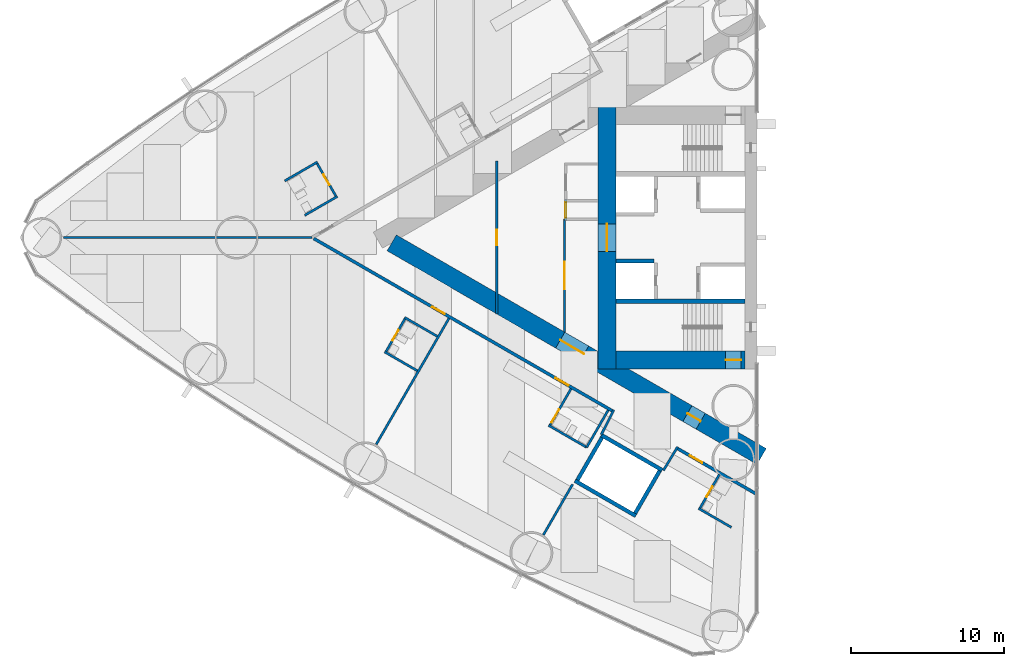
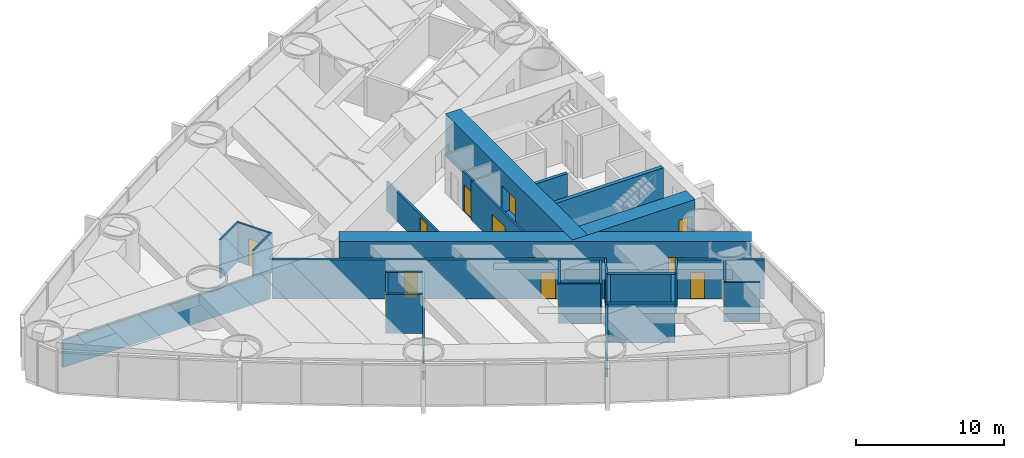
# One storey, part 11 of 19: 30 walls, 14 doors, 14 openings.
"""IFC4 building model written with IfcOpenShell, lengths in metres."""

from ifc_helpers import new_model, si_unit, direction, frame, frame_2d, origin, place, context, subcontext, project, spatial, rectangle, extrude, material, layer, layer_set, type_object, element, fill, save


model = new_model("IFC4")

# Units and contexts
model_context = context("Model", 3, precision=1e-05, world=origin(), true_north=direction((0.0, 1.0)))
body_context = subcontext(model_context, "Body", "Model", "MODEL_VIEW")
ifc_project = project(units=[si_unit("LENGTHUNIT", "METRE"), si_unit("AREAUNIT", "SQUARE_METRE"), si_unit("VOLUMEUNIT", "CUBIC_METRE"), si_unit("PLANEANGLEUNIT", "RADIAN"), si_unit("MASSUNIT", "GRAM", prefix="KILO")], contexts=[model_context])

# Site, building, storey
site_placement = place(None, origin())
site = spatial("IfcSite", under=ifc_project, at=site_placement, CompositionType="ELEMENT")
building_placement = place(site_placement, origin())
building = spatial("IfcBuilding", under=site, at=building_placement, Name="Lancet Gate Hotel", CompositionType="ELEMENT")
storey_placement = place(building_placement, frame((0.0, 0.0, 60.0)))
storey = spatial("IfcBuildingStorey", under=building, at=storey_placement, Name="L15", CompositionType="ELEMENT", Elevation=60.0)

# Wall
ifc_material_1 = material(Name="Moisture resistant board partition")
ifc_layer_1 = layer(ifc_material_1, 0.14990234375)
ifc_layer_set_1 = layer_set([ifc_layer_1], Name="Bathroom wall 150")
wall_type_1 = type_object("IfcWallType", Name="Bathroom wall 150", PredefinedType="PARTITIONING", material=ifc_layer_set_1)
wall_1_placement = place(storey_placement, frame((-56.215087890625, 4.938232421875, 0.0), z_axis=(0.0, 0.0, 1.0), x_axis=(-0.866006523861, -0.500032699561, 0.0)))
element("IfcWall", 1, at=wall_1_placement, inside=storey, type_object=wall_type_1, Name="T1 bathroom wall 150 L15", PredefinedType="PARTITIONING", context=body_context, shape_type="SweptSolid", body=[
    extrude(rectangle(XDim=2.474853515625, YDim=0.14990234375, at=frame_2d((1.2373046875, 0.0))), origin(), (0.0, 0.0, 1.0), 3.25),
])

# Wall, opening, door
wall_2_placement = place(storey_placement, frame((-54.97998046875, 2.64892578125, 0.0), z_axis=(0.0, 0.0, 1.0), x_axis=(-0.500006934395, 0.866021400173, 0.0)))
wall_2 = element("IfcWall", 2, at=wall_2_placement, inside=storey, type_object=wall_type_1, Name="T1 bathroom wall 150 L15", PredefinedType="PARTITIONING", context=body_context, shape_type="SweptSolid", body=[
    extrude(rectangle(XDim=2.60009765625, YDim=0.14990234375, at=frame_2d((1.300048828125, 0.0))), origin(), (0.0, 0.0, 1.0), 3.25),
])
opening_1_placement = place(wall_2_placement, frame((0.89990234375, 0.0, 0.0)))
opening_1 = element("IfcOpeningElement", 3, at=opening_1_placement, cuts=wall_2, Name="Opening 1503-B", PredefinedType="OPENING", context=body_context, shape_type="SweptSolid", body=[
    extrude(rectangle(XDim=0.800048828125, YDim=2.199951171875, at=frame_2d((0.39990234375, 1.10009765625))), frame((0.0, 0.0849609375, 0.0), z_axis=(0.0, -1.0, 0.0), x_axis=(1.0, 0.0, 0.0)), (0.0, 0.0, 1.0), 0.169921875),
])
ifc_material_2 = material(Name="Timber door set", Category="wood")
door_type_1 = type_object("IfcDoorType", Name="Bathroom door 800", OperationType="SINGLE_SWING_RIGHT", PredefinedType="DOOR", material=ifc_material_2)
door_1_placement = place(opening_1_placement, origin())
door_1 = element("IfcDoor", 4, at=door_1_placement, inside=storey, type_object=door_type_1, Name="1503-B", OperationType="SINGLE_SWING_RIGHT", OverallHeight=2.199951171875, OverallWidth=0.800048828125, PredefinedType="DOOR", context=body_context, shape_type="SweptSolid", body=[
    extrude(rectangle(XDim=0.800048828125, YDim=2.199951171875, at=frame_2d((0.39990234375, 1.10009765625))), frame((0.0, 0.02490234375, 0.0), z_axis=(0.0, -1.0, 0.0), x_axis=(1.0, 0.0, 0.0)), (0.0, 0.0, 1.0), 0.050048828125),
])
fill(opening_1, door_1)

# Walls
wall_3_placement = place(storey_placement, frame((-54.9150390625, 2.6865234375, 0.0), z_axis=(0.0, 0.0, 1.0), x_axis=(-0.866006523861, -0.500032699561, 0.0)))
element("IfcWall", 5, at=wall_3_placement, inside=storey, type_object=wall_type_1, Name="T1 bathroom wall 150 L15", PredefinedType="PARTITIONING", context=body_context, shape_type="SweptSolid", body=[
    extrude(rectangle(XDim=2.474853515625, YDim=0.14990234375, at=frame_2d((1.2373046875, 0.0))), origin(), (0.0, 0.0, 1.0), 3.25),
])
wall_4_placement = place(storey_placement, frame((-49.691650390625, -8.704345703125, 0.0), z_axis=(0.0, 0.0, 1.0), x_axis=(-0.866073894602, 0.499916002032, 0.0)))
element("IfcWall", 6, at=wall_4_placement, inside=storey, type_object=wall_type_1, Name="T1 bathroom wall 150 L15", PredefinedType="PARTITIONING", context=body_context, shape_type="SweptSolid", body=[
    extrude(rectangle(XDim=2.47509765625, YDim=0.14990234375, at=frame_2d((1.237548828125, 0.0))), origin(), (0.0, 0.0, 1.0), 3.25),
])

# Wall, opening, door
wall_5_placement = place(storey_placement, frame((-50.47021484375, -5.252685546875, 0.0), z_axis=(0.0, 0.0, 1.0), x_axis=(-0.500006934395, -0.866021400173, 0.0)))
wall_5 = element("IfcWall", 7, at=wall_5_placement, inside=storey, type_object=wall_type_1, Name="T1 bathroom wall 150 L15", PredefinedType="PARTITIONING", context=body_context, shape_type="SweptSolid", body=[
    extrude(rectangle(XDim=2.60009765625, YDim=0.14990234375, at=frame_2d((1.300048828125, 0.0))), origin(), (0.0, 0.0, 1.0), 3.25),
])
opening_2_placement = place(wall_5_placement, frame((0.89990234375, 0.0, 0.0)))
opening_2 = element("IfcOpeningElement", 8, at=opening_2_placement, cuts=wall_5, Name="Opening 1505-B", PredefinedType="OPENING", context=body_context, shape_type="SweptSolid", body=[
    extrude(rectangle(XDim=0.800048828125, YDim=2.199951171875, at=frame_2d((0.39990234375, 1.10009765625))), frame((0.0, 0.0849609375, 0.0), z_axis=(0.0, -1.0, 0.0), x_axis=(1.0, 0.0, 0.0)), (0.0, 0.0, 1.0), 0.169921875),
])
door_2_placement = place(opening_2_placement, origin())
door_2 = element("IfcDoor", 9, at=door_2_placement, inside=storey, type_object=door_type_1, Name="1505-B", OperationType="SINGLE_SWING_RIGHT", OverallHeight=2.199951171875, OverallWidth=0.800048828125, PredefinedType="DOOR", context=body_context, shape_type="SweptSolid", body=[
    extrude(rectangle(XDim=0.800048828125, YDim=2.199951171875, at=frame_2d((0.39990234375, 1.10009765625))), frame((0.0, 0.02490234375, 0.0), z_axis=(0.0, -1.0, 0.0), x_axis=(1.0, 0.0, 0.0)), (0.0, 0.0, 1.0), 0.050048828125),
])
fill(opening_2, door_2)

# Walls
wall_6_placement = place(storey_placement, frame((-48.391845703125, -6.45263671875, 0.0), z_axis=(0.0, 0.0, 1.0), x_axis=(-0.86604923931, 0.499958713387, 0.0)))
element("IfcWall", 10, at=wall_6_placement, inside=storey, type_object=wall_type_1, Name="T1 bathroom wall 150 L15", PredefinedType="PARTITIONING", context=body_context, shape_type="SweptSolid", body=[
    extrude(rectangle(XDim=2.474853515625, YDim=0.14990234375, at=frame_2d((1.2373046875, 0.0))), origin(), (0.0, 0.0, 1.0), 3.25),
])
wall_7_placement = place(storey_placement, frame((-38.630126953125, -13.705322265625, 0.0), z_axis=(0.0, 0.0, 1.0), x_axis=(-0.866018712932, 0.500011588718, 0.0)))
element("IfcWall", 11, at=wall_7_placement, inside=storey, type_object=wall_type_1, Name="T1 bathroom wall 150 L15", PredefinedType="PARTITIONING", context=body_context, shape_type="SweptSolid", body=[
    extrude(rectangle(XDim=2.875, YDim=0.14990234375, at=frame_2d((1.4375, 0.0))), origin(), (0.0, 0.0, 1.0), 3.25),
])

# Wall, opening, door
wall_8_placement = place(storey_placement, frame((-39.65478515625, -9.88037109375, 0.0), z_axis=(0.0, 0.0, 1.0), x_axis=(-0.500049511043, -0.865996816683, 0.0)))
wall_8 = element("IfcWall", 12, at=wall_8_placement, inside=storey, type_object=wall_type_1, Name="T1 bathroom wall 150 L15", PredefinedType="PARTITIONING", context=body_context, shape_type="SweptSolid", body=[
    extrude(rectangle(XDim=2.800048828125, YDim=0.14990234375, at=frame_2d((1.39990234375, 0.0))), origin(), (0.0, 0.0, 1.0), 3.25),
])
opening_3_placement = place(wall_8_placement, frame((1.550048828125, 0.0, 0.0)))
opening_3 = element("IfcOpeningElement", 13, at=opening_3_placement, cuts=wall_8, Name="Opening 1507-B", PredefinedType="OPENING", context=body_context, shape_type="SweptSolid", body=[
    extrude(rectangle(XDim=1.0, YDim=2.199951171875, at=frame_2d((0.5, 1.10009765625))), frame((0.0, 0.0849609375, 0.0), z_axis=(0.0, -1.0, 0.0), x_axis=(1.0, 0.0, 0.0)), (0.0, 0.0, 1.0), 0.169921875),
])
ifc_material_3 = material(Name="Timber door set", Category="wood")
door_type_2 = type_object("IfcDoorType", Name="Accessible en-suite door 1000", OperationType="SINGLE_SWING_RIGHT", PredefinedType="DOOR", material=ifc_material_3)
door_3_placement = place(opening_3_placement, origin())
door_3 = element("IfcDoor", 14, at=door_3_placement, inside=storey, type_object=door_type_2, Name="1507-B", OperationType="SINGLE_SWING_RIGHT", OverallHeight=2.199951171875, OverallWidth=1.0, PredefinedType="DOOR", context=body_context, shape_type="SweptSolid", body=[
    extrude(rectangle(XDim=1.0, YDim=2.199951171875, at=frame_2d((0.5, 1.10009765625))), frame((0.0, 0.02490234375, 0.0), z_axis=(0.0, -1.0, 0.0), x_axis=(1.0, 0.0, 0.0)), (0.0, 0.0, 1.0), 0.050048828125),
])
fill(opening_3, door_3)

# Walls
wall_9_placement = place(storey_placement, frame((-37.22998046875, -11.280517578125, 0.0), z_axis=(0.0, 0.0, 1.0), x_axis=(-0.500049511043, -0.865996816683, 0.0)))
element("IfcWall", 15, at=wall_9_placement, inside=storey, type_object=wall_type_1, Name="T1 bathroom wall 150 L15", PredefinedType="PARTITIONING", context=body_context, shape_type="SweptSolid", body=[
    extrude(rectangle(XDim=2.800048828125, YDim=0.14990234375, at=frame_2d((1.39990234375, 0.0))), origin(), (0.0, 0.0, 1.0), 3.25),
])
wall_10_placement = place(storey_placement, frame((-29.181884765625, -18.92919921875, 0.0), z_axis=(0.0, 0.0, 1.0), x_axis=(-0.866006523861, 0.500032699561, 0.0)))
element("IfcWall", 16, at=wall_10_placement, inside=storey, type_object=wall_type_1, Name="T1 bathroom wall 150 L15", PredefinedType="PARTITIONING", context=body_context, shape_type="SweptSolid", body=[
    extrude(rectangle(XDim=2.474853515625, YDim=0.14990234375, at=frame_2d((1.2373046875, 0.0))), origin(), (0.0, 0.0, 1.0), 3.25),
])

# Wall, opening, door
wall_11_placement = place(storey_placement, frame((-29.960205078125, -15.4775390625, 0.0), z_axis=(0.0, 0.0, 1.0), x_axis=(-0.500006934395, -0.866021400173, 0.0)))
wall_11 = element("IfcWall", 17, at=wall_11_placement, inside=storey, type_object=wall_type_1, Name="T1 bathroom wall 150 L15", PredefinedType="PARTITIONING", context=body_context, shape_type="SweptSolid", body=[
    extrude(rectangle(XDim=2.60009765625, YDim=0.14990234375, at=frame_2d((1.300048828125, 0.0))), origin(), (0.0, 0.0, 1.0), 3.25),
])
opening_4_placement = place(wall_11_placement, frame((0.89990234375, 0.0, 0.0)))
opening_4 = element("IfcOpeningElement", 18, at=opening_4_placement, cuts=wall_11, Name="Opening 1508-B", PredefinedType="OPENING", context=body_context, shape_type="SweptSolid", body=[
    extrude(rectangle(XDim=0.800048828125, YDim=2.199951171875, at=frame_2d((0.39990234375, 1.10009765625))), frame((0.0, 0.0849609375, 0.0), z_axis=(0.0, -1.0, 0.0), x_axis=(1.0, 0.0, 0.0)), (0.0, 0.0, 1.0), 0.169921875),
])
door_4_placement = place(opening_4_placement, origin())
door_4 = element("IfcDoor", 19, at=door_4_placement, inside=storey, type_object=door_type_1, Name="1508-B", OperationType="SINGLE_SWING_RIGHT", OverallHeight=2.199951171875, OverallWidth=0.800048828125, PredefinedType="DOOR", context=body_context, shape_type="SweptSolid", body=[
    extrude(rectangle(XDim=0.800048828125, YDim=2.199951171875, at=frame_2d((0.39990234375, 1.10009765625))), frame((0.0, 0.02490234375, 0.0), z_axis=(0.0, -1.0, 0.0), x_axis=(1.0, 0.0, 0.0)), (0.0, 0.0, 1.0), 0.050048828125),
])
fill(opening_4, door_4)

# Wall, openings, doors
ifc_material_4 = material(Name="Concrete C70/85", Category="concrete")
ifc_layer_2 = layer(ifc_material_4, 1.199951171875)
ifc_layer_set_2 = layer_set([ifc_layer_2], Name="Buttress wall 1200")
wall_type_2 = type_object("IfcWallType", Name="Buttress wall 1200", PredefinedType="SHEAR", material=ifc_layer_set_2)
wall_12_placement = place(storey_placement, frame((-27.199951171875, -14.300048828125, 0.0), z_axis=(0.0, 0.0, 1.0), x_axis=(-0.866024021859, 0.500002393557, 0.0)))
wall_12 = element("IfcWall", 20, at=wall_12_placement, inside=storey, type_object=wall_type_2, Name="T1 buttress wall N L15", PredefinedType="SHEAR", context=body_context, shape_type="SweptSolid", body=[
    extrude(rectangle(XDim=27.906982421875, YDim=1.199951171875, at=frame_2d((13.95361328125, 0.0))), origin(), (0.0, 0.0, 1.0), 3.5),
])
opening_5_placement = place(wall_12_placement, frame((4.60009765625, 0.0, 0.0)))
opening_5 = element("IfcOpeningElement", 21, at=opening_5_placement, cuts=wall_12, Name="Opening T1-L15-LN", PredefinedType="OPENING", context=body_context, shape_type="SweptSolid", body=[
    extrude(rectangle(XDim=1.0, YDim=2.199951171875, at=frame_2d((0.5, 1.10009765625))), frame((0.0, 0.60986328125, 0.0), z_axis=(0.0, -1.0, 0.0), x_axis=(1.0, 0.0, 0.0)), (0.0, 0.0, 1.0), 1.219970703125),
])
opening_6_placement = place(wall_12_placement, frame((13.39453125, 0.0, 0.0)))
opening_6 = element("IfcOpeningElement", 22, at=opening_6_placement, cuts=wall_12, Name="Opening T1-L15-LHN", PredefinedType="OPENING", context=body_context, shape_type="SweptSolid", body=[
    extrude(rectangle(XDim=1.800048828125, YDim=2.199951171875, at=frame_2d((0.89990234375, 1.10009765625))), frame((0.0, 0.60986328125, 0.0), z_axis=(0.0, -1.0, 0.0), x_axis=(1.0, 0.0, 0.0)), (0.0, 0.0, 1.0), 1.219970703125),
])
ifc_material_5 = material(Name="Timber door set", Category="wood")
door_type_3 = type_object("IfcDoorType", Name="Lobby double door 1800", OperationType="DOUBLE_DOOR_SINGLE_SWING", PredefinedType="DOOR", material=ifc_material_5)
door_5_placement = place(opening_6_placement, origin())
door_5 = element("IfcDoor", 23, at=door_5_placement, inside=storey, type_object=door_type_3, Name="T1-L15-LHN", OperationType="DOUBLE_DOOR_SINGLE_SWING", OverallHeight=2.199951171875, OverallWidth=1.800048828125, PredefinedType="DOOR", context=body_context, shape_type="SweptSolid", body=[
    extrude(rectangle(XDim=1.800048828125, YDim=2.199951171875, at=frame_2d((0.89990234375, 1.10009765625))), frame((0.0, 0.02490234375, 0.0), z_axis=(0.0, -1.0, 0.0), x_axis=(1.0, 0.0, 0.0)), (0.0, 0.0, 1.0), 0.050048828125),
])
fill(opening_6, door_5)
ifc_material_6 = material(Name="Timber door set", Category="wood")
door_type_4 = type_object("IfcDoorType", Name="Stair lobby door 1000", OperationType="SINGLE_SWING_LEFT", PredefinedType="DOOR", material=ifc_material_6)
door_6_placement = place(opening_5_placement, origin())
door_6 = element("IfcDoor", 24, at=door_6_placement, inside=storey, type_object=door_type_4, Name="T1-L15-LN", OperationType="SINGLE_SWING_LEFT", OverallHeight=2.199951171875, OverallWidth=1.0, PredefinedType="DOOR", context=body_context, shape_type="SweptSolid", body=[
    extrude(rectangle(XDim=1.0, YDim=2.199951171875, at=frame_2d((0.5, 1.10009765625))), frame((0.0, 0.02490234375, 0.0), z_axis=(0.0, -1.0, 0.0), x_axis=(1.0, 0.0, 0.0)), (0.0, 0.0, 1.0), 0.050048828125),
])
fill(opening_5, door_6)

# Wall, opening, door
ifc_material_7 = material(Name="Concrete C70/85", Category="concrete")
ifc_layer_3 = layer(ifc_material_7, 1.199951171875)
ifc_layer_set_3 = layer_set([ifc_layer_3], Name="Core wall 1200")
wall_type_3 = type_object("IfcWallType", Name="Core wall 1200", PredefinedType="SHEAR", material=ifc_layer_set_3)
wall_13_placement = place(storey_placement, frame((-37.300048828125, 8.60009765625, 0.0), z_axis=(0.0, 0.0, 1.0), x_axis=(0.0, -1.0, 0.0)))
wall_13 = element("IfcWall", 25, at=wall_13_placement, inside=storey, type_object=wall_type_3, Name="T1 core wall back L15", PredefinedType="SHEAR", context=body_context, shape_type="SweptSolid", body=[
    extrude(rectangle(XDim=17.2001953125, YDim=1.199951171875, at=frame_2d((8.60009765625, 0.0))), origin(), (0.0, 0.0, 1.0), 3.5),
])
opening_7_placement = place(wall_13_placement, frame((7.699951171875, 0.0, 0.0)))
opening_7 = element("IfcOpeningElement", 26, at=opening_7_placement, cuts=wall_13, Name="Opening T1-L15-LL", PredefinedType="OPENING", context=body_context, shape_type="SweptSolid", body=[
    extrude(rectangle(XDim=1.800048828125, YDim=2.199951171875, at=frame_2d((0.89990234375, 1.10009765625))), frame((0.0, 0.60986328125, 0.0), z_axis=(0.0, -1.0, 0.0), x_axis=(1.0, 0.0, 0.0)), (0.0, 0.0, 1.0), 1.219970703125),
])
door_7_placement = place(opening_7_placement, origin())
door_7 = element("IfcDoor", 27, at=door_7_placement, inside=storey, type_object=door_type_3, Name="T1-L15-LL", OperationType="DOUBLE_DOOR_SINGLE_SWING", OverallHeight=2.199951171875, OverallWidth=1.800048828125, PredefinedType="DOOR", context=body_context, shape_type="SweptSolid", body=[
    extrude(rectangle(XDim=1.800048828125, YDim=2.199951171875, at=frame_2d((0.89990234375, 1.10009765625))), frame((0.0, 0.02490234375, 0.0), z_axis=(0.0, -1.0, 0.0), x_axis=(1.0, 0.0, 0.0)), (0.0, 0.0, 1.0), 0.050048828125),
])
fill(opening_7, door_7)

wall_14_placement = place(storey_placement, frame((-28.300048828125, -8.0, 0.0), z_axis=(0.0, 0.0, 1.0), x_axis=(-1.0, 0.0, 0.0)))
wall_14 = element("IfcWall", 28, at=wall_14_placement, inside=storey, type_object=wall_type_3, Name="T1 core wall side-N L15", PredefinedType="SHEAR", context=body_context, shape_type="SweptSolid", body=[
    extrude(rectangle(XDim=8.39990234375, YDim=1.199951171875, at=frame_2d((4.199951171875, 0.0))), origin(), (0.0, 0.0, 1.0), 3.5),
])
opening_8_placement = place(wall_14_placement, frame((0.25, 0.0, 0.0)))
opening_8 = element("IfcOpeningElement", 29, at=opening_8_placement, cuts=wall_14, Name="Opening T1-L15-ST2", PredefinedType="OPENING", context=body_context, shape_type="SweptSolid", body=[
    extrude(rectangle(XDim=1.0, YDim=2.199951171875, at=frame_2d((0.5, 1.10009765625))), frame((0.0, 0.60986328125, 0.0), z_axis=(0.0, -1.0, 0.0), x_axis=(1.0, 0.0, 0.0)), (0.0, 0.0, 1.0), 1.219970703125),
])
ifc_material_8 = material(Name="Timber door set", Category="wood")
door_type_5 = type_object("IfcDoorType", Name="Stair door 1000", OperationType="SINGLE_SWING_RIGHT", PredefinedType="DOOR", material=ifc_material_8)
door_8_placement = place(opening_8_placement, origin())
door_8 = element("IfcDoor", 30, at=door_8_placement, inside=storey, type_object=door_type_5, Name="T1-L15-ST2", OperationType="SINGLE_SWING_RIGHT", OverallHeight=2.199951171875, OverallWidth=1.0, PredefinedType="DOOR", context=body_context, shape_type="SweptSolid", body=[
    extrude(rectangle(XDim=1.0, YDim=2.199951171875, at=frame_2d((0.5, 1.10009765625))), frame((0.0, 0.02490234375, 0.0), z_axis=(0.0, -1.0, 0.0), x_axis=(1.0, 0.0, 0.0)), (0.0, 0.0, 1.0), 0.050048828125),
])
fill(opening_8, door_8)

ifc_material_9 = material(Name="Gypsum board partition")
ifc_layer_4 = layer(ifc_material_9, 0.199951171875)
ifc_layer_set_4 = layer_set([ifc_layer_4], Name="Corridor wall 200")
wall_type_4 = type_object("IfcWallType", Name="Corridor wall 200", PredefinedType="PARTITIONING", material=ifc_layer_set_4)
wall_15_placement = place(storey_placement, frame((-27.572021484375, -16.740966796875, 0.0), z_axis=(0.0, 0.0, 1.0), x_axis=(-0.866024464444, 0.500001626982, 0.0)))
wall_15 = element("IfcWall", 31, at=wall_15_placement, inside=storey, type_object=wall_type_4, Name="T1 corridor wall 200 L15", PredefinedType="PARTITIONING", context=body_context, shape_type="SweptSolid", body=[
    extrude(rectangle(XDim=5.955078125, YDim=0.199951171875, at=frame_2d((2.9775390625, 0.0))), origin(), (0.0, 0.0, 1.0), 3.25),
])
opening_9_placement = place(wall_15_placement, frame((4.050048828125, 0.0, 0.0)))
opening_9 = element("IfcOpeningElement", 32, at=opening_9_placement, cuts=wall_15, Name="Opening 1508-E", PredefinedType="OPENING", context=body_context, shape_type="SweptSolid", body=[
    extrude(rectangle(XDim=0.949951171875, YDim=2.199951171875, at=frame_2d((0.47509765625, 1.10009765625))), frame((0.0, 0.10986328125, 0.0), z_axis=(0.0, -1.0, 0.0), x_axis=(1.0, 0.0, 0.0)), (0.0, 0.0, 1.0), 0.219970703125),
])
ifc_material_10 = material(Name="Timber door set", Category="wood")
door_type_6 = type_object("IfcDoorType", Name="Guest room entry door 950", OperationType="SINGLE_SWING_LEFT", PredefinedType="DOOR", material=ifc_material_10)
door_9_placement = place(opening_9_placement, origin())
door_9 = element("IfcDoor", 33, at=door_9_placement, inside=storey, type_object=door_type_6, Name="1508-E", OperationType="SINGLE_SWING_LEFT", OverallHeight=2.199951171875, OverallWidth=0.949951171875, PredefinedType="DOOR", context=body_context, shape_type="SweptSolid", body=[
    extrude(rectangle(XDim=0.949951171875, YDim=2.199951171875, at=frame_2d((0.47509765625, 1.10009765625))), frame((0.0, 0.02490234375, 0.0), z_axis=(0.0, -1.0, 0.0), x_axis=(1.0, 0.0, 0.0)), (0.0, 0.0, 1.0), 0.050048828125),
])
fill(opening_9, door_9)

# Wall, openings, doors
wall_16_placement = place(storey_placement, frame((-36.920166015625, -11.34375, 0.0), z_axis=(0.0, 0.0, 1.0), x_axis=(-0.866028313256, 0.499994960614, 0.0)))
wall_16 = element("IfcWall", 34, at=wall_16_placement, inside=storey, type_object=wall_type_4, Name="T1 corridor wall 200 L15", PredefinedType="PARTITIONING", context=body_context, shape_type="SweptSolid", body=[
    extrude(rectangle(XDim=22.567626953125, YDim=0.199951171875, at=frame_2d((11.28369140625, 0.0))), origin(), (0.0, 0.0, 1.0), 3.25),
])
opening_10_placement = place(wall_16_placement, frame((12.68017578125, 0.0, 0.0)))
opening_10 = element("IfcOpeningElement", 35, at=opening_10_placement, cuts=wall_16, Name="Opening 1505-E", PredefinedType="OPENING", context=body_context, shape_type="SweptSolid", body=[
    extrude(rectangle(XDim=0.949951171875, YDim=2.199951171875, at=frame_2d((0.47509765625, 1.10009765625))), frame((0.0, 0.10986328125, 0.0), z_axis=(0.0, -1.0, 0.0), x_axis=(1.0, 0.0, 0.0)), (0.0, 0.0, 1.0), 0.219970703125),
])
opening_11_placement = place(wall_16_placement, frame((3.35009765625, 0.0, 0.0)))
opening_11 = element("IfcOpeningElement", 36, at=opening_11_placement, cuts=wall_16, Name="Opening 1507-E", PredefinedType="OPENING", context=body_context, shape_type="SweptSolid", body=[
    extrude(rectangle(XDim=1.0, YDim=2.199951171875, at=frame_2d((0.5, 1.10009765625))), frame((0.0, 0.10986328125, 0.0), z_axis=(0.0, -1.0, 0.0), x_axis=(1.0, 0.0, 0.0)), (0.0, 0.0, 1.0), 0.219970703125),
])
ifc_material_11 = material(Name="Timber door set", Category="wood")
door_type_7 = type_object("IfcDoorType", Name="Accessible guest room door 1000", OperationType="SINGLE_SWING_LEFT", PredefinedType="DOOR", material=ifc_material_11)
door_10_placement = place(opening_11_placement, origin())
door_10 = element("IfcDoor", 37, at=door_10_placement, inside=storey, type_object=door_type_7, Name="1507-E", OperationType="SINGLE_SWING_LEFT", OverallHeight=2.199951171875, OverallWidth=1.0, PredefinedType="DOOR", context=body_context, shape_type="SweptSolid", body=[
    extrude(rectangle(XDim=1.0, YDim=2.199951171875, at=frame_2d((0.5, 1.10009765625))), frame((0.0, 0.02490234375, 0.0), z_axis=(0.0, -1.0, 0.0), x_axis=(1.0, 0.0, 0.0)), (0.0, 0.0, 1.0), 0.050048828125),
])
fill(opening_11, door_10)
door_11_placement = place(opening_10_placement, origin())
door_11 = element("IfcDoor", 38, at=door_11_placement, inside=storey, type_object=door_type_6, Name="1505-E", OperationType="SINGLE_SWING_LEFT", OverallHeight=2.199951171875, OverallWidth=0.949951171875, PredefinedType="DOOR", context=body_context, shape_type="SweptSolid", body=[
    extrude(rectangle(XDim=0.949951171875, YDim=2.199951171875, at=frame_2d((0.47509765625, 1.10009765625))), frame((0.0, 0.02490234375, 0.0), z_axis=(0.0, -1.0, 0.0), x_axis=(1.0, 0.0, 0.0)), (0.0, 0.0, 1.0), 0.050048828125),
])
fill(opening_10, door_11)

# Walls
ifc_material_12 = material(Name="Gypsum board partition")
ifc_layer_5 = layer(ifc_material_12, 0.25)
ifc_layer_set_5 = layer_set([ifc_layer_5], Name="Lift shaft partition 250")
wall_type_5 = type_object("IfcWallType", Name="Lift shaft partition 250", PredefinedType="PARTITIONING", material=ifc_layer_set_5)
wall_17_placement = place(storey_placement, frame((-33.695556640625, -15.197265625, 0.0), z_axis=(0.0, 0.0, 1.0), x_axis=(-0.865976953817, 0.500083908417, 0.0)))
element("IfcWall", 39, at=wall_17_placement, inside=storey, type_object=wall_type_5, Name="T1 lift shaft wall EX L15", PredefinedType="PARTITIONING", context=body_context, shape_type="SweptSolid", body=[
    extrude(rectangle(XDim=4.599365234375, YDim=0.25, at=frame_2d((2.2998046875, 0.0))), origin(), (0.0, 0.0, 1.0), 3.25),
])
wall_18_placement = place(storey_placement, frame((-35.42041015625, -18.185791015625, 0.0), z_axis=(0.0, 0.0, 1.0), x_axis=(-0.865990227814, 0.50006092162, 0.0)))
element("IfcWall", 40, at=wall_18_placement, inside=storey, type_object=wall_type_5, Name="T1 lift shaft wall EX L15", PredefinedType="PARTITIONING", context=body_context, shape_type="SweptSolid", body=[
    extrude(rectangle(XDim=4.599609375, YDim=0.25, at=frame_2d((2.2998046875, 0.0))), origin(), (0.0, 0.0, 1.0), 3.25),
])
wall_19_placement = place(storey_placement, frame((-33.8662109375, -15.242919921875, 0.0), z_axis=(0.0, 0.0, 1.0), x_axis=(-0.499929347863, -0.866066190972, 0.0)))
element("IfcWall", 41, at=wall_19_placement, inside=storey, type_object=wall_type_5, Name="T1 lift shaft wall EX L15", PredefinedType="PARTITIONING", context=body_context, shape_type="SweptSolid", body=[
    extrude(rectangle(XDim=3.20068359375, YDim=0.25, at=frame_2d((1.600341796875, 0.0))), origin(), (0.0, 0.0, 1.0), 3.25),
])
wall_20_placement = place(storey_placement, frame((-37.6328125, -13.068115234375, 0.0), z_axis=(0.0, 0.0, 1.0), x_axis=(-0.499872130319, -0.866099216793, 0.0)))
element("IfcWall", 42, at=wall_20_placement, inside=storey, type_object=wall_type_5, Name="T1 lift shaft wall EX L15", PredefinedType="PARTITIONING", context=body_context, shape_type="SweptSolid", body=[
    extrude(rectangle(XDim=3.200439453125, YDim=0.25, at=frame_2d((1.60009765625, 0.0))), origin(), (0.0, 0.0, 1.0), 3.25),
])
ifc_material_13 = material(Name="Concrete C50/60", Category="concrete")
ifc_layer_6 = layer(ifc_material_13, 0.25)
ifc_layer_set_6 = layer_set([ifc_layer_6], Name="Lift shaft wall 250")
wall_type_6 = type_object("IfcWallType", Name="Lift shaft wall 250", PredefinedType="SHEAR", material=ifc_layer_set_6)
wall_21_placement = place(storey_placement, frame((-34.25, -1.52490234375, 0.0), z_axis=(0.0, 0.0, 1.0), x_axis=(-1.0, 0.0, 0.0)))
element("IfcWall", 43, at=wall_21_placement, inside=storey, type_object=wall_type_6, Name="T1 core wall pass2-N L15", PredefinedType="SHEAR", context=body_context, shape_type="SweptSolid", body=[
    extrude(rectangle(XDim=2.449951171875, YDim=0.25, at=frame_2d((1.22509765625, 0.0))), origin(), (0.0, 0.0, 1.0), 3.5),
])
ifc_material_14 = material(Name="Gypsum board partition")
ifc_layer_7 = layer(ifc_material_14, 0.14990234375)
ifc_layer_set_7 = layer_set([ifc_layer_7], Name="Party wall 150")
wall_type_7 = type_object("IfcWallType", Name="Party wall 150", PredefinedType="PARTITIONING", material=ifc_layer_set_7)
wall_22_placement = place(storey_placement, frame((-47.626708984375, -5.27783203125, 0.0), z_axis=(0.0, 0.0, 1.0), x_axis=(-0.500009844318, -0.86601972009, 0.0)))
element("IfcWall", 44, at=wall_22_placement, inside=storey, type_object=wall_type_7, Name="T1 party wall 150 L15", PredefinedType="PARTITIONING", context=body_context, shape_type="SweptSolid", body=[
    extrude(rectangle(XDim=9.510498046875, YDim=0.14990234375, at=frame_2d((4.75537109375, 0.0))), origin(), (0.0, 0.0, 1.0), 2.25),
])
wall_23_placement = place(storey_placement, frame((-56.568359375, 0.0, 0.0), z_axis=(0.0, 0.0, 1.0), x_axis=(-1.0, 0.0, 0.0)))
element("IfcWall", 45, at=wall_23_placement, inside=storey, type_object=wall_type_7, Name="T1 party wall 150 L15", PredefinedType="PARTITIONING", context=body_context, shape_type="SweptSolid", body=[
    extrude(rectangle(XDim=16.246826171875, YDim=0.14990234375, at=frame_2d((8.12353515625, 0.0))), origin(), (0.0, 0.0, 1.0), 2.25),
])
wall_24_placement = place(storey_placement, frame((-39.55078125, -16.118408203125, 0.0), z_axis=(0.0, 0.0, 1.0), x_axis=(-0.499986503906, -0.866033195618, 0.0)))
element("IfcWall", 46, at=wall_24_placement, inside=storey, type_object=wall_type_7, Name="T1 party wall 150 L15", PredefinedType="PARTITIONING", context=body_context, shape_type="SweptSolid", body=[
    extrude(rectangle(XDim=3.81494140625, YDim=0.14990234375, at=frame_2d((1.907470703125, 0.0))), origin(), (0.0, 0.0, 1.0), 3.25),
])
ifc_material_15 = material(Name="Gypsum board partition")
ifc_layer_8 = layer(ifc_material_15, 0.14990234375)
ifc_layer_set_8 = layer_set([ifc_layer_8], Name="Service room wall 150")
wall_type_8 = type_object("IfcWallType", Name="Service room wall 150", PredefinedType="PARTITIONING", material=ifc_layer_set_8)
wall_25_placement = place(storey_placement, frame((-36.857177734375, -11.2646484375, 0.0), z_axis=(0.0, 0.0, 1.0), x_axis=(-0.454225294761, -0.890886851176, 0.0)))
element("IfcWall", 47, at=wall_25_placement, inside=storey, type_object=wall_type_8, Name="T1 service room wall 150 L15", PredefinedType="PARTITIONING", context=body_context, shape_type="SweptSolid", body=[
    extrude(rectangle(XDim=1.80712890625, YDim=0.14990234375, at=frame_2d((0.903564453125, 0.0))), origin(), (0.0, 0.0, 1.0), 3.25),
])
wall_26_placement = place(storey_placement, frame((-33.62060546875, -15.217529296875, 0.0), z_axis=(0.0, 0.0, 1.0), x_axis=(0.514336634837, 0.857588377991, 0.0)))
element("IfcWall", 48, at=wall_26_placement, inside=storey, type_object=wall_type_8, Name="T1 service room wall 150 L15", PredefinedType="PARTITIONING", context=body_context, shape_type="SweptSolid", body=[
    extrude(rectangle(XDim=1.80517578125, YDim=0.14990234375, at=frame_2d((0.902587890625, 0.0))), origin(), (0.0, 0.0, 1.0), 3.25),
])

# Wall, opening, door
wall_27_placement = place(storey_placement, frame((-40.0, 2.47509765625, 0.0), z_axis=(0.0, 0.0, 1.0), x_axis=(0.0, -1.0, 0.0)))
wall_27 = element("IfcWall", 49, at=wall_27_placement, inside=storey, type_object=wall_type_8, Name="T1 service room wall 150 L15", PredefinedType="PARTITIONING", context=body_context, shape_type="SweptSolid", body=[
    extrude(rectangle(XDim=1.35009765625, YDim=0.14990234375, at=frame_2d((0.675048828125, 0.0))), origin(), (0.0, 0.0, 1.0), 3.25),
])
opening_12_placement = place(wall_27_placement, frame((0.175048828125, 0.0, 0.0)))
opening_12 = element("IfcOpeningElement", 50, at=opening_12_placement, cuts=wall_27, Name="Opening T1-L15-HRS0", PredefinedType="OPENING", context=body_context, shape_type="SweptSolid", body=[
    extrude(rectangle(XDim=1.0, YDim=2.199951171875, at=frame_2d((0.5, 1.10009765625))), frame((0.0, 0.0849609375, 0.0), z_axis=(0.0, -1.0, 0.0), x_axis=(1.0, 0.0, 0.0)), (0.0, 0.0, 1.0), 0.169921875),
])
ifc_material_16 = material(Name="Timber door set", Category="wood")
door_type_8 = type_object("IfcDoorType", Name="Service door 1000", OperationType="SINGLE_SWING_LEFT", PredefinedType="DOOR", material=ifc_material_16)
door_12_placement = place(opening_12_placement, origin())
door_12 = element("IfcDoor", 51, at=door_12_placement, inside=storey, type_object=door_type_8, Name="T1-L15-HRS0", OperationType="SINGLE_SWING_LEFT", OverallHeight=2.199951171875, OverallWidth=1.0, PredefinedType="DOOR", context=body_context, shape_type="SweptSolid", body=[
    extrude(rectangle(XDim=1.0, YDim=2.199951171875, at=frame_2d((0.5, 1.10009765625))), frame((0.0, 0.02490234375, 0.0), z_axis=(0.0, -1.0, 0.0), x_axis=(1.0, 0.0, 0.0)), (0.0, 0.0, 1.0), 0.050048828125),
])
fill(opening_12, door_12)

wall_28_placement = place(storey_placement, frame((-40.074951171875, 1.199951171875, 0.0), z_axis=(0.0, 0.0, 1.0), x_axis=(0.0, -1.0, 0.0)))
wall_28 = element("IfcWall", 52, at=wall_28_placement, inside=storey, type_object=wall_type_8, Name="T1 service room wall 150 L15", PredefinedType="PARTITIONING", context=body_context, shape_type="SweptSolid", body=[
    extrude(rectangle(XDim=7.373779296875, YDim=0.14990234375, at=frame_2d((3.68701171875, 0.0))), origin(), (0.0, 0.0, 1.0), 3.25),
])
opening_13_placement = place(wall_28_placement, frame((2.786865234375, 0.0, 0.0)))
opening_13 = element("IfcOpeningElement", 53, at=opening_13_placement, cuts=wall_28, Name="Opening T1-L15-LH", PredefinedType="OPENING", context=body_context, shape_type="SweptSolid", body=[
    extrude(rectangle(XDim=1.800048828125, YDim=2.199951171875, at=frame_2d((0.89990234375, 1.10009765625))), frame((0.0, 0.0849609375, 0.0), z_axis=(0.0, -1.0, 0.0), x_axis=(1.0, 0.0, 0.0)), (0.0, 0.0, 1.0), 0.169921875),
])
door_13_placement = place(opening_13_placement, origin())
door_13 = element("IfcDoor", 54, at=door_13_placement, inside=storey, type_object=door_type_3, Name="T1-L15-LH", OperationType="DOUBLE_DOOR_SINGLE_SWING", OverallHeight=2.199951171875, OverallWidth=1.800048828125, PredefinedType="DOOR", context=body_context, shape_type="SweptSolid", body=[
    extrude(rectangle(XDim=1.800048828125, YDim=2.199951171875, at=frame_2d((0.89990234375, 1.10009765625))), frame((0.0, 0.02490234375, 0.0), z_axis=(0.0, -1.0, 0.0), x_axis=(1.0, 0.0, 0.0)), (0.0, 0.0, 1.0), 0.050048828125),
])
fill(opening_13, door_13)

wall_29_placement = place(storey_placement, frame((-44.5, 5.004638671875, 0.0), z_axis=(0.0, 0.0, 1.0), x_axis=(0.0, -1.0, 0.0)))
wall_29 = element("IfcWall", 55, at=wall_29_placement, inside=storey, type_object=wall_type_8, Name="T1 service room wall 150 L15", PredefinedType="PARTITIONING", context=body_context, shape_type="SweptSolid", body=[
    extrude(rectangle(XDim=10.00927734375, YDim=0.14990234375, at=frame_2d((5.004638671875, 0.0))), origin(), (0.0, 0.0, 1.0), 2.449951171875),
])
opening_14_placement = place(wall_29_placement, frame((4.504638671875, 0.0, 0.0)))
opening_14 = element("IfcOpeningElement", 56, at=opening_14_placement, cuts=wall_29, Name="Opening T1-L15-SV", PredefinedType="OPENING", context=body_context, shape_type="SweptSolid", body=[
    extrude(rectangle(XDim=1.0, YDim=2.199951171875, at=frame_2d((0.5, 1.10009765625))), frame((0.0, 0.0849609375, 0.0), z_axis=(0.0, -1.0, 0.0), x_axis=(1.0, 0.0, 0.0)), (0.0, 0.0, 1.0), 0.169921875),
])
door_14_placement = place(opening_14_placement, origin())
door_14 = element("IfcDoor", 57, at=door_14_placement, inside=storey, type_object=door_type_8, Name="T1-L15-SV", OperationType="SINGLE_SWING_LEFT", OverallHeight=2.199951171875, OverallWidth=1.0, PredefinedType="DOOR", context=body_context, shape_type="SweptSolid", body=[
    extrude(rectangle(XDim=1.0, YDim=2.199951171875, at=frame_2d((0.5, 1.10009765625))), frame((0.0, 0.02490234375, 0.0), z_axis=(0.0, -1.0, 0.0), x_axis=(1.0, 0.0, 0.0)), (0.0, 0.0, 1.0), 0.050048828125),
])
fill(opening_14, door_14)

# Wall
ifc_material_17 = material(Name="Concrete C50/60", Category="concrete")
ifc_layer_9 = layer(ifc_material_17, 0.300048828125)
ifc_layer_set_9 = layer_set([ifc_layer_9], Name="Stair enclosure wall 300")
wall_type_9 = type_object("IfcWallType", Name="Stair enclosure wall 300", PredefinedType="SHEAR", material=ifc_layer_set_9)
wall_30_placement = place(storey_placement, frame((-28.300048828125, -4.14990234375, 0.0), z_axis=(0.0, 0.0, 1.0), x_axis=(-1.0, 0.0, 0.0)))
element("IfcWall", 58, at=wall_30_placement, inside=storey, type_object=wall_type_9, Name="T1 core wall stair-N L15", PredefinedType="SHEAR", context=body_context, shape_type="SweptSolid", body=[
    extrude(rectangle(XDim=8.39990234375, YDim=0.300048828125, at=frame_2d((4.199951171875, 0.0))), origin(), (0.0, 0.0, 1.0), 3.5),
])

save(model, "model.ifc")
